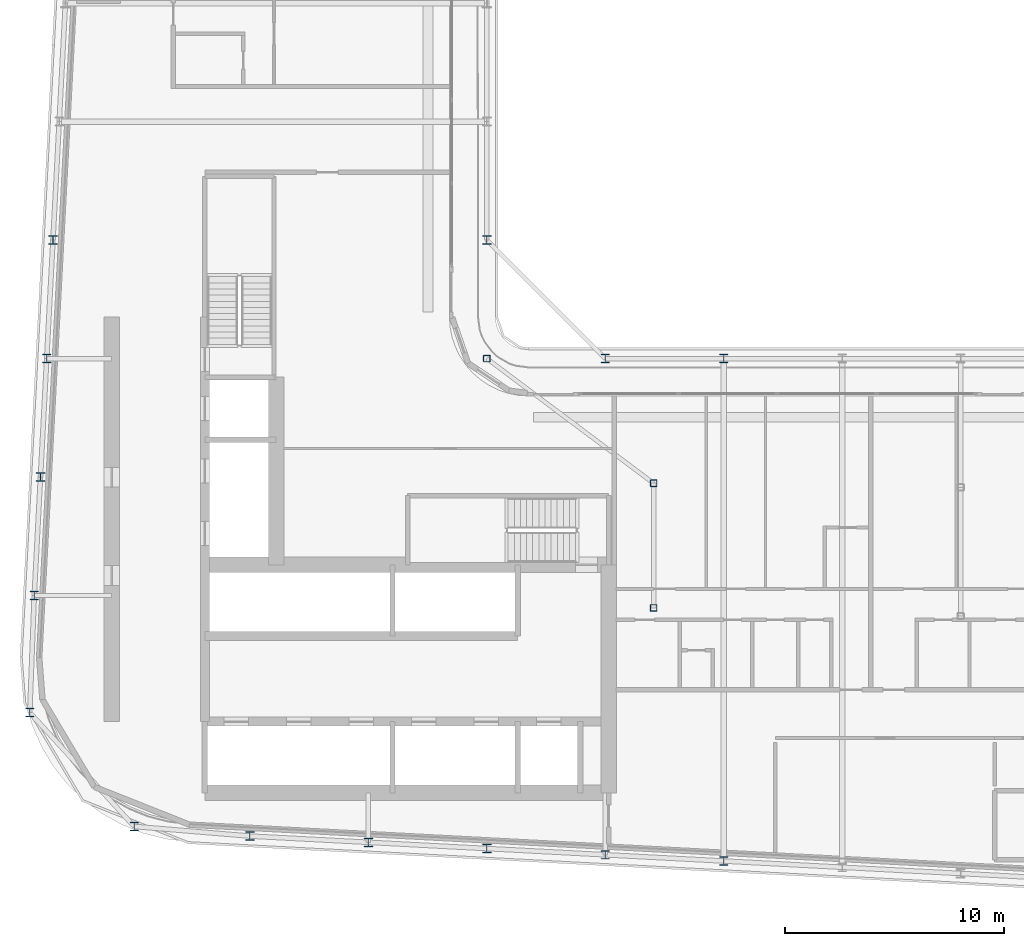
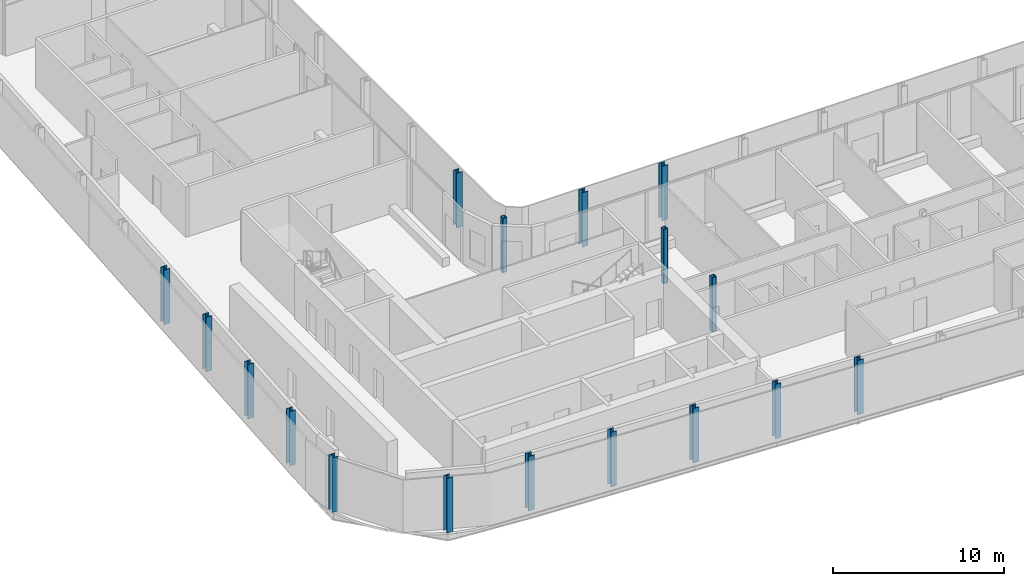
# One storey, part 1 of 21: 17 columns.
"""IFC4 building model written with IfcOpenShell, lengths in metres."""

from ifc_helpers import new_model, si_unit, direction, frame, origin, origin_2d, place, context, subcontext, project, spatial, hollow_rectangle, i_section, extrude, material, material_profile, profile_set, type_object, element, save


model = new_model("IFC4")

# Units and contexts
model_context = context("Model", 3, precision=1e-05, world=origin(), true_north=direction((0.0, 1.0)))
body_context = subcontext(model_context, "Body", "Model", "MODEL_VIEW")
ifc_project = project(units=[si_unit("LENGTHUNIT", "METRE"), si_unit("AREAUNIT", "SQUARE_METRE"), si_unit("VOLUMEUNIT", "CUBIC_METRE"), si_unit("PLANEANGLEUNIT", "RADIAN"), si_unit("MASSUNIT", "GRAM", prefix="KILO")], contexts=[model_context])

# Site, building, storey
site_placement = place(None, origin())
site = spatial("IfcSite", under=ifc_project, at=site_placement, CompositionType="ELEMENT")
building_placement = place(site_placement, origin())
building = spatial("IfcBuilding", under=site, at=building_placement, Name="Kheshtan School and Residences Tower", CompositionType="ELEMENT")
storey_placement = place(building_placement, frame((0.0, 0.0, 220.10009765625)))
storey = spatial("IfcBuildingStorey", under=building, at=storey_placement, Name="L51", CompositionType="ELEMENT", Elevation=220.10009765625)

# Columns
ifc_material_1 = material(Name="Steel ASTM A992 Grade 50", Category="steel")
ifc_material_profile_1 = material_profile(ifc_material_1, i_section(OverallWidth=0.404052734375, OverallDepth=0.406982421875, WebThickness=0.027099609375, FlangeThickness=0.043701171875, FilletRadius=0.01220703125, at=origin_2d()), Name="W360x347")
ifc_profile_set_1 = profile_set([ifc_material_profile_1], Name="Steel ASTM A992 Grade 50")
column_type_1 = type_object("IfcColumnType", Name="Column C4 W360x347 ASTM A992 Grade 50", PredefinedType="COLUMN", material=ifc_profile_set_1)
for number, where, z_axis, x_axis, name in (
    (1, (58.39990234375, 22.695068359375, 0.0), (0.0, 0.0, 1.0), (1.0, 0.0, 0.0), "Column C018"),
    (2, (53.0, 22.97998046875, 0.0), (0.0, 0.0, 1.0), (1.0, 0.0, 0.0), "Column C019"),
    (3, (47.60009765625, 23.263916015625, 0.0), (0.0, 0.0, 1.0), (1.0, 0.0, 0.0), "Column C020"),
    (4, (42.199951171875, 23.548095703125, 0.0), (0.0, 0.0, 1.0), (1.0, 0.0, 0.0), "Column C021"),
    (5, (36.800048828125, 23.83203125, 0.0), (0.0, 0.0, 1.0), (1.0, 0.0, 0.0), "Column C022"),
    (6, (31.52587890625, 24.27099609375, 0.0), (0.0, 0.0, 1.0), (1.0, 0.0, 0.0), "Column C027"),
    (7, (26.764892578125, 29.4599609375, 0.0), (0.0, 0.0, 1.0), (1.0, 0.0, 0.0), "Column C040"),
    (8, (26.968994140625, 34.800048828125, 0.0), (0.0, 0.0, 1.0), (1.0, 0.0, 0.0), "Column C052"),
    (9, (27.2529296875, 40.199951171875, 0.0), (0.0, 0.0, 1.0), (1.0, 0.0, 0.0), "Column C056"),
    (10, (27.537109375, 45.60009765625, 0.0), (0.0, 0.0, 1.0), (1.0, 0.0, 0.0), "Column C059"),
    (11, (53.0, 45.60009765625, 0.0), (0.0, 0.0, 1.0), (1.0, 0.0, 0.0), "Column C061"),
    (12, (58.39990234375, 45.60009765625, 0.0), (0.0, 0.0, 1.0), (1.0, 0.0, 0.0), "Column C062"),
    (13, (27.822021484375, 51.0, 0.0), (0.0, 0.0, 1.0), (1.0, 0.0, 0.0), "Column C078"),
    (14, (47.60009765625, 51.0, 0.0), (0.0, 0.0, 1.0), (1.0, 0.0, 0.0), "Column C079"),
):
    element("IfcColumn", number, at=place(storey_placement, frame(where, z_axis=z_axis, x_axis=x_axis)), inside=storey, type_object=column_type_1, Name=name, PredefinedType="COLUMN", context=body_context, shape_type="SweptSolid", body=[
        extrude(i_section(OverallWidth=0.404052734375, OverallDepth=0.406982421875, WebThickness=0.027099609375, FlangeThickness=0.043701171875, FilletRadius=0.01220703125, at=origin_2d()), origin(), (0.0, 0.0, 1.0), 3.89990234375),
    ])
ifc_material_2 = material(Name="Steel ASTM A500 Grade C", Category="steel")
ifc_material_profile_2 = material_profile(ifc_material_2, hollow_rectangle(XDim=0.304931640625, YDim=0.304931640625, WallThickness=0.015869140625, InnerFilletRadius=0.015869140625, OuterFilletRadius=0.03173828125, at=origin_2d()), Name="HSS 305x305x15.9")
ifc_profile_set_2 = profile_set([ifc_material_profile_2], Name="Steel ASTM A500 Grade C")
column_type_2 = type_object("IfcColumnType", Name="Column IC2 HSS 305x305x15.9 ASTM A500 Grade C", PredefinedType="COLUMN", material=ifc_profile_set_2)
for number, where, z_axis, x_axis, name in (
    (15, (55.199951171875, 34.23193359375, 0.0), (0.0, 0.0, 1.0), (1.0, 0.0, 0.0), "Column C051"),
    (16, (55.199951171875, 39.916015625, 0.0), (0.0, 0.0, 1.0), (1.0, 0.0, 0.0), "Column C055"),
    (17, (47.60009765625, 45.60009765625, 0.0), (0.0, 0.0, 1.0), (1.0, 0.0, 0.0), "Column C060"),
):
    element("IfcColumn", number, at=place(storey_placement, frame(where, z_axis=z_axis, x_axis=x_axis)), inside=storey, type_object=column_type_2, Name=name, PredefinedType="COLUMN", context=body_context, shape_type="SweptSolid", body=[
        extrude(hollow_rectangle(XDim=0.304931640625, YDim=0.304931640625, WallThickness=0.015869140625, InnerFilletRadius=0.015869140625, OuterFilletRadius=0.03173828125, at=origin_2d()), origin(), (0.0, 0.0, 1.0), 3.89990234375),
    ])

save(model, "model.ifc")
